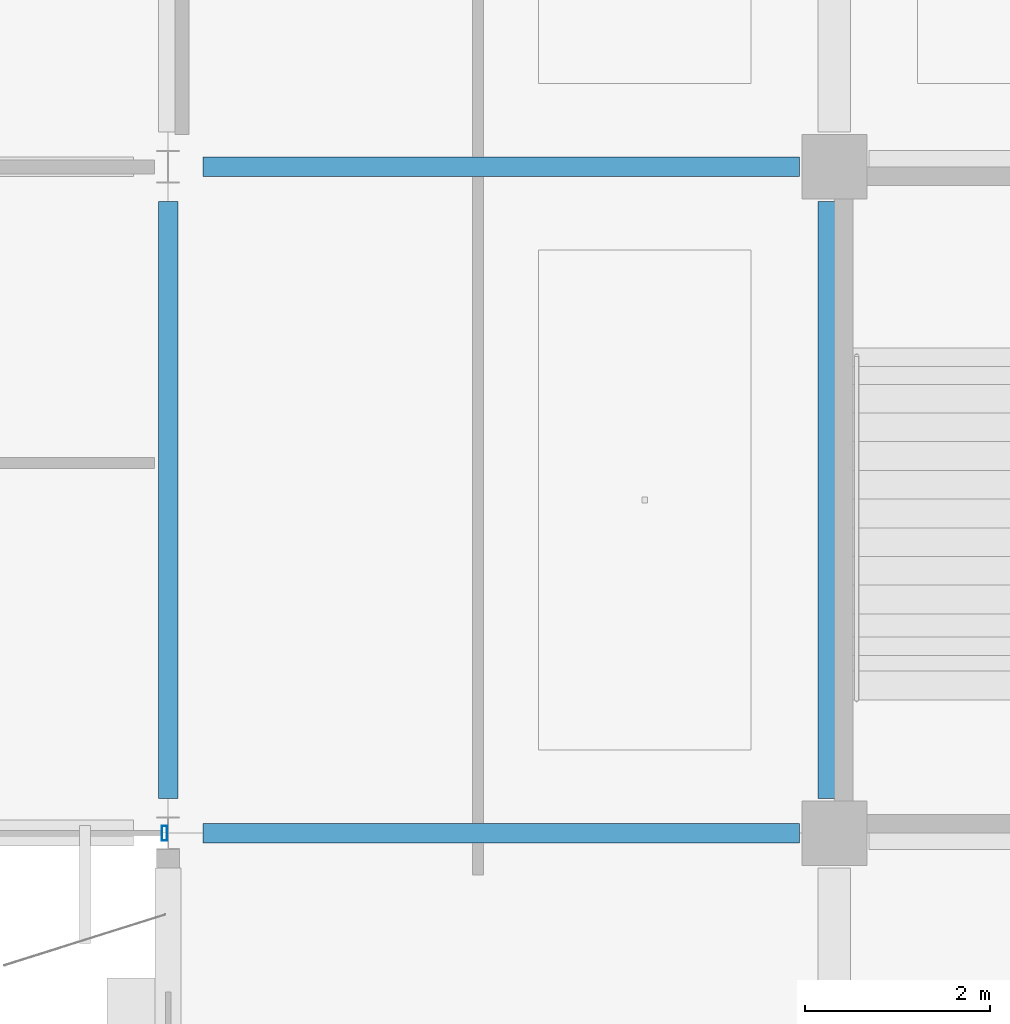
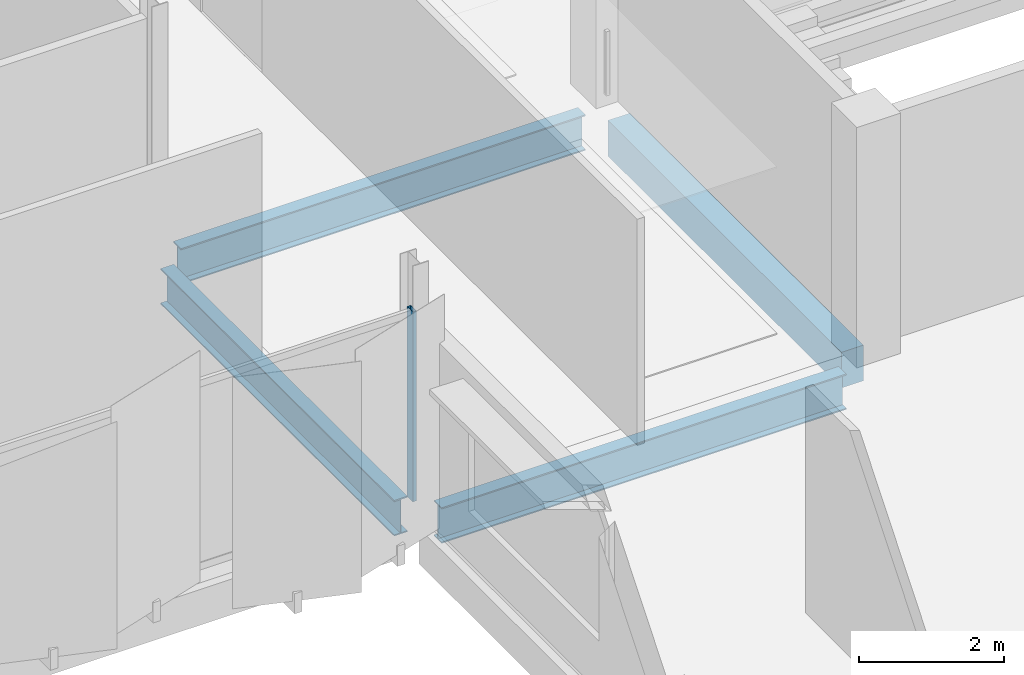
# One storey, part 53 of 91: 4 beams, 1 member, 1 element without a shape of its own.
"""IFC4 building model written with IfcOpenShell, lengths in metres."""

from ifc_helpers import new_model, si_unit, direction, frame, origin, origin_2d, place, context, subcontext, project, spatial, rectangle, hollow_rectangle, i_section, extrude, material, layer, layer_set, material_profile, profile_set, type_object, element, aggregate, save


model = new_model("IFC4")

# Units and contexts
model_context = context("Model", 3, precision=1e-05, world=origin(), true_north=direction((0.0, 1.0)))
body_context = subcontext(model_context, "Body", "Model", "MODEL_VIEW")
ifc_project = project(units=[si_unit("LENGTHUNIT", "METRE"), si_unit("AREAUNIT", "SQUARE_METRE"), si_unit("VOLUMEUNIT", "CUBIC_METRE"), si_unit("PLANEANGLEUNIT", "RADIAN"), si_unit("MASSUNIT", "GRAM", prefix="KILO")], contexts=[model_context])

# Site, building, storey
site_placement = place(None, origin())
site = spatial("IfcSite", under=ifc_project, at=site_placement, CompositionType="ELEMENT")
building_placement = place(site_placement, origin())
building = spatial("IfcBuilding", under=site, at=building_placement, Name="Kangsadwip Square Police Headquarters", CompositionType="ELEMENT")
storey_placement = place(building_placement, frame((0.0, 0.0, 13.5)))
storey = spatial("IfcBuildingStorey", under=building, at=storey_placement, Name="L03", CompositionType="ELEMENT", Elevation=13.5)

# Curtain wall, member
ifc_material_1 = material(Name="Thermally broken anodised aluminium AW-6063-T6", Category="aluminium")
ifc_layer = layer(ifc_material_1, 0.159912109375)
ifc_layer_set = layer_set([ifc_layer], Name="Thermally broken anodised aluminium AW-6063-T6")
curtain_wall_type = type_object("IfcCurtainWallType", Name="CourtScreen7180x3200", PredefinedType="USERDEFINED", material=ifc_layer_set)
curtain_wall_placement = place(storey_placement, origin())
curtain_wall = element("IfcCurtainWall", 1, at=curtain_wall_placement, inside=storey, type_object=curtain_wall_type, Name="Curtain Wall CW-L03-1368-0936", ObjectType="GLAZED_SCREEN", PredefinedType="USERDEFINED")
ifc_material_2 = material(Name="Thermally broken anodised aluminium AW-6063-T6", Category="aluminium")
ifc_material_profile_1 = material_profile(ifc_material_2, hollow_rectangle(XDim=0.06005859375, YDim=0.159912109375, WallThickness=0.00390625, at=origin_2d()), Name="CWM 160X60X4")
ifc_profile_set_1 = profile_set([ifc_material_profile_1], Name="Thermally broken anodised aluminium AW-6063-T6")
member_type = type_object("IfcMemberType", Name="CwMullion135x60", PredefinedType="MULLION", material=ifc_profile_set_1)
member_placement = place(storey_placement, frame((143.9599609375, 93.60009765625, 0.0), z_axis=(0.0, 0.0, 1.0), x_axis=(1.0, 0.0, 0.0)))
member = element("IfcMember", 2, at=member_placement, type_object=member_type, Name="CW-17 mullion 2", PredefinedType="MULLION", context=body_context, shape_type="SweptSolid", body=[
    extrude(hollow_rectangle(XDim=0.06005859375, YDim=0.159912109375, WallThickness=0.00390625, at=origin_2d()), origin(), (0.0, 0.0, 1.0), 3.199951171875),
])
aggregate(curtain_wall, [member])

# Beams
ifc_material_3 = material(Name="Concrete M35 (35 MPa)", Category="concrete")
ifc_material_profile_2 = material_profile(ifc_material_3, rectangle(XDim=0.35009765625, YDim=0.60009765625, at=origin_2d()), Name="RC BM 600X350")
ifc_profile_set_2 = profile_set([ifc_material_profile_2], Name="Concrete M35 (35 MPa)")
beam_type_1 = type_object("IfcBeamType", Name="RcBeam600x350", PredefinedType="BEAM", material=ifc_profile_set_2)
beam_placement = place(storey_placement, frame((151.199951171875, 93.97509765625, -0.5400390625), z_axis=(0.0, 1.0, 0.0), x_axis=(-1.0, 0.0, 0.0)))
element("IfcBeam", 3, at=beam_placement, inside=storey, type_object=beam_type_1, Name="Beam BM-L03-Y-21-13", PredefinedType="BEAM", context=body_context, shape_type="SweptSolid", body=[
    extrude(rectangle(XDim=0.35009765625, YDim=0.60009765625, at=origin_2d()), origin(), (0.0, 0.0, 1.0), 6.449951171875),
])
ifc_material_4 = material(Name="Structural steel IS 2062 E350 (Grade 350, 350 MPa)", Category="steel")
ifc_material_profile_3 = material_profile(ifc_material_4, i_section(OverallWidth=0.2099609375, OverallDepth=0.60009765625, WebThickness=0.011962890625, FlangeThickness=0.020751953125, at=origin_2d()), Name="ISMB 600")
ifc_profile_set_3 = profile_set([ifc_material_profile_3], Name="Structural steel IS 2062 E350 (Grade 350, 350 MPa)")
beam_type_2 = type_object("IfcBeamType", Name="SteelBeamIsmb600", PredefinedType="BEAM", material=ifc_profile_set_3)
for number, where, z_axis, x_axis, name in (
    (4, (144.375, 93.60009765625, -0.5400390625), (1.0, 0.0, 0.0), (0.0, 1.0, 0.0), "Beam BM-L03-X-20-13"),
    (5, (144.375, 100.800048828125, -0.5400390625), (1.0, 0.0, 0.0), (0.0, 1.0, 0.0), "Beam BM-L03-X-20-14"),
    (6, (144.0, 93.97509765625, -0.5400390625), (0.0, 1.0, 0.0), (-1.0, 0.0, 0.0), "Beam BM-L03-Y-20-13"),
):
    element("IfcBeam", number, at=place(storey_placement, frame(where, z_axis=z_axis, x_axis=x_axis)), inside=storey, type_object=beam_type_2, Name=name, PredefinedType="BEAM", context=body_context, shape_type="SweptSolid", body=[
        extrude(i_section(OverallWidth=0.2099609375, OverallDepth=0.60009765625, WebThickness=0.011962890625, FlangeThickness=0.020751953125, at=origin_2d()), origin(), (0.0, 0.0, 1.0), 6.449951171875),
    ])

save(model, "model.ifc")
